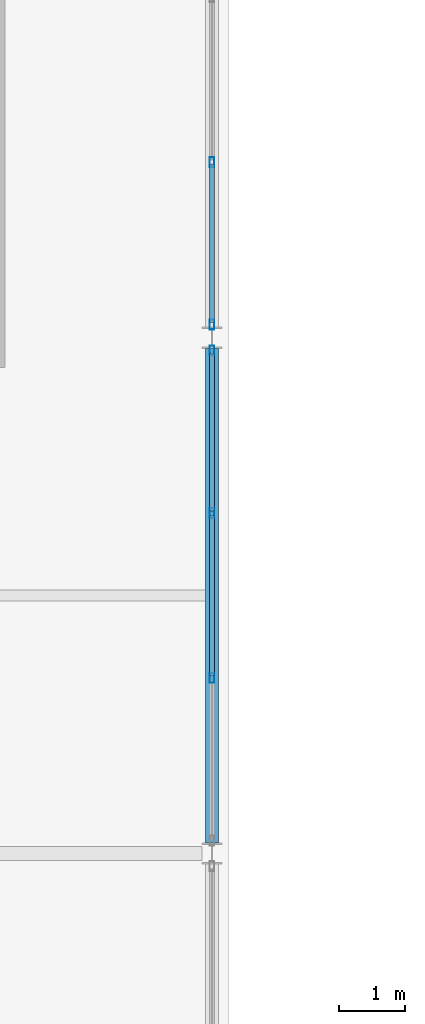
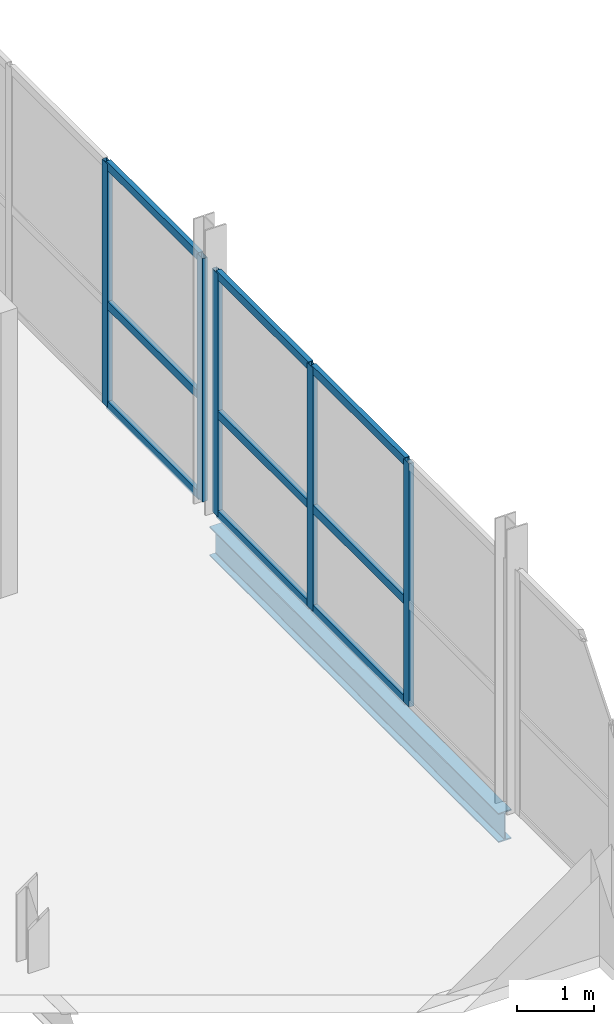
# One storey, part 17 of 77: 14 members, 1 beam, 2 elements without a shape of their own.
"""IFC4 building model written with IfcOpenShell, lengths in metres."""

from ifc_helpers import new_model, si_unit, direction, frame, origin, origin_2d, place, context, subcontext, project, spatial, hollow_rectangle, i_section, extrude, material, layer, layer_set, material_profile, profile_set, type_object, element, aggregate, save


model = new_model("IFC4")

# Units and contexts
model_context = context("Model", 3, precision=1e-05, world=origin(), true_north=direction((0.0, 1.0)))
body_context = subcontext(model_context, "Body", "Model", "MODEL_VIEW")
ifc_project = project(units=[si_unit("LENGTHUNIT", "METRE"), si_unit("AREAUNIT", "SQUARE_METRE"), si_unit("VOLUMEUNIT", "CUBIC_METRE"), si_unit("PLANEANGLEUNIT", "RADIAN"), si_unit("MASSUNIT", "GRAM", prefix="KILO")], contexts=[model_context])

# Site, building, storey
site_placement = place(None, origin())
site = spatial("IfcSite", under=ifc_project, at=site_placement, CompositionType="ELEMENT")
building_placement = place(site_placement, origin())
building = spatial("IfcBuilding", under=site, at=building_placement, Name="Quillay Park Conservatory", CompositionType="ELEMENT")
storey_placement = place(building_placement, frame((0.0, 0.0, 5.39990234375)))
storey = spatial("IfcBuildingStorey", under=building, at=storey_placement, Name="L01", CompositionType="ELEMENT", Elevation=5.39990234375)

# Curtain wall, members
ifc_material_1 = material(Name="Thermally Broken Anodised Aluminium 6063-T6", Category="aluminium")
ifc_layer = layer(ifc_material_1, 0.1650390625)
ifc_layer_set = layer_set([ifc_layer], Name="UNITISED CURTAIN WALL PODIUM (Thermally Broken Anodised Aluminium 6063-T6)")
curtain_wall_type = type_object("IfcCurtainWallType", Name="UNITISED CURTAIN WALL PODIUM", PredefinedType="USERDEFINED", material=ifc_layer_set)
curtain_wall_1_placement = place(storey_placement, origin())
curtain_wall_1 = element("IfcCurtainWall", 1, at=curtain_wall_1_placement, inside=storey, type_object=curtain_wall_type, Name="L01 Unitised Curtain Wall 202", ObjectType="UNITISED CURTAIN WALL", PredefinedType="USERDEFINED")
ifc_material_2 = material(Name="Thermally Broken Anodised Aluminium 6063-T6", Category="aluminium")
ifc_material_profile_1 = material_profile(ifc_material_2, hollow_rectangle(XDim=0.070068359375, YDim=0.14990234375, WallThickness=0.00341796875, at=origin_2d()), Name="AL70x150x3.5")
ifc_profile_set_1 = profile_set([ifc_material_profile_1], Name="Thermally Broken Anodised Aluminium 6063-T6")
member_type_1 = type_object("IfcMemberType", Name="CURTAIN WALL MULLION 70 X150", PredefinedType="MULLION", material=ifc_profile_set_1)
member_1_placement = place(storey_placement, frame((22.14990234375, 38.804931640625, 0.0), z_axis=(0.0, 0.0, 1.0), x_axis=(1.0, 0.0, 0.0)))
member_1 = element("IfcMember", 2, at=member_1_placement, type_object=member_type_1, Name="CW-P1 mullion 1", PredefinedType="MULLION", context=body_context, shape_type="SweptSolid", body=[
    extrude(hollow_rectangle(XDim=0.070068359375, YDim=0.14990234375, WallThickness=0.00341796875, at=origin_2d()), origin(), (0.0, 0.0, 1.0), 3.843994140625),
])
member_2_placement = place(storey_placement, frame((22.14990234375, 36.3466796875, 0.0), z_axis=(0.0, 0.0, 1.0), x_axis=(1.0, 0.0, 0.0)))
member_2 = element("IfcMember", 3, at=member_2_placement, type_object=member_type_1, Name="CW-P1 mullion 2", PredefinedType="MULLION", context=body_context, shape_type="SweptSolid", body=[
    extrude(hollow_rectangle(XDim=0.070068359375, YDim=0.14990234375, WallThickness=0.00341796875, at=origin_2d()), origin(), (0.0, 0.0, 1.0), 3.843994140625),
])
member_3_placement = place(storey_placement, frame((22.14990234375, 33.853271484375, 0.0), z_axis=(0.0, 0.0, 1.0), x_axis=(1.0, 0.0, 0.0)))
member_3 = element("IfcMember", 4, at=member_3_placement, type_object=member_type_1, Name="CW-P1 mullion 3", PredefinedType="MULLION", context=body_context, shape_type="SweptSolid", body=[
    extrude(hollow_rectangle(XDim=0.070068359375, YDim=0.14990234375, WallThickness=0.00341796875, at=origin_2d()), origin(), (0.0, 0.0, 1.0), 3.843994140625),
])

curtain_wall_2_placement = place(storey_placement, origin())
curtain_wall_2 = element("IfcCurtainWall", 5, at=curtain_wall_2_placement, inside=storey, type_object=curtain_wall_type, Name="L01 Unitised Curtain Wall 203", ObjectType="UNITISED CURTAIN WALL", PredefinedType="USERDEFINED")
member_4_placement = place(storey_placement, frame((22.14990234375, 41.6533203125, 0.0), z_axis=(0.0, 0.0, 1.0), x_axis=(1.0, 0.0, 0.0)))
member_4 = element("IfcMember", 6, at=member_4_placement, type_object=member_type_1, Name="CW-P1 mullion 3", PredefinedType="MULLION", context=body_context, shape_type="SweptSolid", body=[
    extrude(hollow_rectangle(XDim=0.070068359375, YDim=0.14990234375, WallThickness=0.00341796875, at=origin_2d()), origin(), (0.0, 0.0, 1.0), 3.843994140625),
])
member_5_placement = place(storey_placement, frame((22.14990234375, 39.195068359375, 0.0), z_axis=(0.0, 0.0, 1.0), x_axis=(1.0, 0.0, 0.0)))
member_5 = element("IfcMember", 7, at=member_5_placement, type_object=member_type_1, Name="CW-P1 mullion 4", PredefinedType="MULLION", context=body_context, shape_type="SweptSolid", body=[
    extrude(hollow_rectangle(XDim=0.070068359375, YDim=0.14990234375, WallThickness=0.00341796875, at=origin_2d()), origin(), (0.0, 0.0, 1.0), 3.843994140625),
])

# Member
ifc_material_3 = material(Name="Thermally Broken Anodised Aluminium 6063-T6", Category="aluminium")
ifc_material_profile_2 = material_profile(ifc_material_3, hollow_rectangle(XDim=0.070068359375, YDim=0.1298828125, WallThickness=0.003173828125, at=origin_2d()), Name="AL70x130x3.2")
ifc_profile_set_2 = profile_set([ifc_material_profile_2], Name="Thermally Broken Anodised Aluminium 6063-T6")
member_type_2 = type_object("IfcMemberType", Name="CURTAIN WALL TRANSOM 70 X130", PredefinedType="USERDEFINED", material=ifc_profile_set_2)
member_6_placement = place(storey_placement, frame((22.14990234375, 38.77001953125, 0.03515625), z_axis=(0.0, -1.0, 0.0), x_axis=(1.0, 0.0, 0.0)))
member_6 = element("IfcMember", 8, at=member_6_placement, type_object=member_type_2, Name="CW-P1 transom 1.1", ObjectType="TRANSOM", PredefinedType="USERDEFINED", context=body_context, shape_type="SweptSolid", body=[
    extrude(hollow_rectangle(XDim=0.070068359375, YDim=0.1298828125, WallThickness=0.003173828125, at=origin_2d()), origin(), (0.0, 0.0, 1.0), 2.388427734375),
])

member_7_placement = place(storey_placement, frame((22.14990234375, 38.77001953125, 1.614501953125), z_axis=(0.0, -1.0, 0.0), x_axis=(1.0, 0.0, 0.0)))
member_7 = element("IfcMember", 9, at=member_7_placement, type_object=member_type_2, Name="CW-P1 transom 1.2", ObjectType="TRANSOM", PredefinedType="USERDEFINED", context=body_context, shape_type="SweptSolid", body=[
    extrude(hollow_rectangle(XDim=0.070068359375, YDim=0.1298828125, WallThickness=0.003173828125, at=origin_2d()), origin(), (0.0, 0.0, 1.0), 2.388427734375),
])

member_8_placement = place(storey_placement, frame((22.14990234375, 38.77001953125, 3.80908203125), z_axis=(0.0, -1.0, 0.0), x_axis=(1.0, 0.0, 0.0)))
member_8 = element("IfcMember", 10, at=member_8_placement, type_object=member_type_2, Name="CW-P1 transom 1.3", ObjectType="TRANSOM", PredefinedType="USERDEFINED", context=body_context, shape_type="SweptSolid", body=[
    extrude(hollow_rectangle(XDim=0.070068359375, YDim=0.1298828125, WallThickness=0.003173828125, at=origin_2d()), origin(), (0.0, 0.0, 1.0), 2.388427734375),
])

member_9_placement = place(storey_placement, frame((22.14990234375, 36.311767578125, 0.03515625), z_axis=(0.0, -1.0, 0.0), x_axis=(1.0, 0.0, 0.0)))
member_9 = element("IfcMember", 11, at=member_9_placement, type_object=member_type_2, Name="CW-P1 transom 2.1", ObjectType="TRANSOM", PredefinedType="USERDEFINED", context=body_context, shape_type="SweptSolid", body=[
    extrude(hollow_rectangle(XDim=0.070068359375, YDim=0.1298828125, WallThickness=0.003173828125, at=origin_2d()), origin(), (0.0, 0.0, 1.0), 2.42333984375),
])

member_10_placement = place(storey_placement, frame((22.14990234375, 36.311767578125, 1.614501953125), z_axis=(0.0, -1.0, 0.0), x_axis=(1.0, 0.0, 0.0)))
member_10 = element("IfcMember", 12, at=member_10_placement, type_object=member_type_2, Name="CW-P1 transom 2.2", ObjectType="TRANSOM", PredefinedType="USERDEFINED", context=body_context, shape_type="SweptSolid", body=[
    extrude(hollow_rectangle(XDim=0.070068359375, YDim=0.1298828125, WallThickness=0.003173828125, at=origin_2d()), origin(), (0.0, 0.0, 1.0), 2.42333984375),
])

member_11_placement = place(storey_placement, frame((22.14990234375, 36.311767578125, 3.80908203125), z_axis=(0.0, -1.0, 0.0), x_axis=(1.0, 0.0, 0.0)))
member_11 = element("IfcMember", 13, at=member_11_placement, type_object=member_type_2, Name="CW-P1 transom 2.3", ObjectType="TRANSOM", PredefinedType="USERDEFINED", context=body_context, shape_type="SweptSolid", body=[
    extrude(hollow_rectangle(XDim=0.070068359375, YDim=0.1298828125, WallThickness=0.003173828125, at=origin_2d()), origin(), (0.0, 0.0, 1.0), 2.42333984375),
])

aggregate(curtain_wall_1, [member_1, member_2, member_3, member_6, member_7, member_8, member_9, member_10, member_11])

member_12_placement = place(storey_placement, frame((22.14990234375, 41.618408203125, 0.03515625), z_axis=(0.0, -1.0, 0.0), x_axis=(1.0, 0.0, 0.0)))
member_12 = element("IfcMember", 14, at=member_12_placement, type_object=member_type_2, Name="CW-P1 transom 3.1", ObjectType="TRANSOM", PredefinedType="USERDEFINED", context=body_context, shape_type="SweptSolid", body=[
    extrude(hollow_rectangle(XDim=0.070068359375, YDim=0.1298828125, WallThickness=0.003173828125, at=origin_2d()), origin(), (0.0, 0.0, 1.0), 2.388427734375),
])

member_13_placement = place(storey_placement, frame((22.14990234375, 41.618408203125, 1.614501953125), z_axis=(0.0, -1.0, 0.0), x_axis=(1.0, 0.0, 0.0)))
member_13 = element("IfcMember", 15, at=member_13_placement, type_object=member_type_2, Name="CW-P1 transom 3.2", ObjectType="TRANSOM", PredefinedType="USERDEFINED", context=body_context, shape_type="SweptSolid", body=[
    extrude(hollow_rectangle(XDim=0.070068359375, YDim=0.1298828125, WallThickness=0.003173828125, at=origin_2d()), origin(), (0.0, 0.0, 1.0), 2.388427734375),
])

member_14_placement = place(storey_placement, frame((22.14990234375, 41.618408203125, 3.80908203125), z_axis=(0.0, -1.0, 0.0), x_axis=(1.0, 0.0, 0.0)))
member_14 = element("IfcMember", 16, at=member_14_placement, type_object=member_type_2, Name="CW-P1 transom 3.3", ObjectType="TRANSOM", PredefinedType="USERDEFINED", context=body_context, shape_type="SweptSolid", body=[
    extrude(hollow_rectangle(XDim=0.070068359375, YDim=0.1298828125, WallThickness=0.003173828125, at=origin_2d()), origin(), (0.0, 0.0, 1.0), 2.388427734375),
])

aggregate(curtain_wall_2, [member_4, member_5, member_12, member_13, member_14])

# Beam
ifc_material_4 = material(Name="Steel ASTM A992 Grade 50", Category="steel")
ifc_material_profile_3 = material_profile(ifc_material_4, i_section(OverallWidth=0.19189453125, OverallDepth=0.462890625, WebThickness=0.010498046875, FlangeThickness=0.017578125, FilletRadius=0.012939453125, at=origin_2d()), Name="W460x89")
ifc_profile_set_3 = profile_set([ifc_material_profile_3], Name="Steel ASTM A992 Grade 50")
beam_type = type_object("IfcBeamType", Name="PRIMARY FLOOR GIRDER W460 X89", PredefinedType="BEAM", material=ifc_profile_set_3)
beam_placement = place(storey_placement, frame((22.14990234375, 31.361572265625, -0.42138671875), z_axis=(0.0, 1.0, 0.0), x_axis=(-1.0, 0.0, 0.0)))
element("IfcBeam", 17, at=beam_placement, inside=storey, type_object=beam_type, Name="L01 beam BM-V3Y-1307", PredefinedType="BEAM", context=body_context, shape_type="SweptSolid", body=[
    extrude(i_section(OverallWidth=0.19189453125, OverallDepth=0.462890625, WebThickness=0.010498046875, FlangeThickness=0.017578125, FilletRadius=0.012939453125, at=origin_2d()), origin(), (0.0, 0.0, 1.0), 7.476806640625),
])

save(model, "model.ifc")
